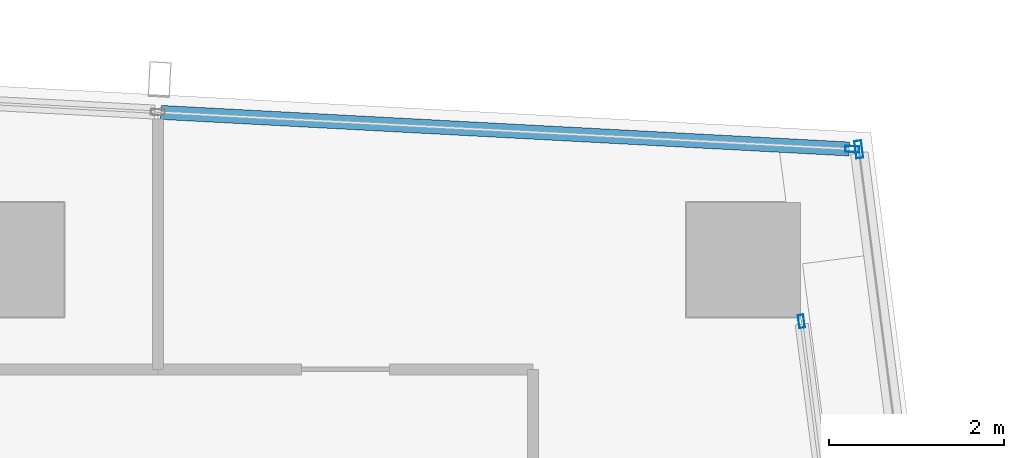
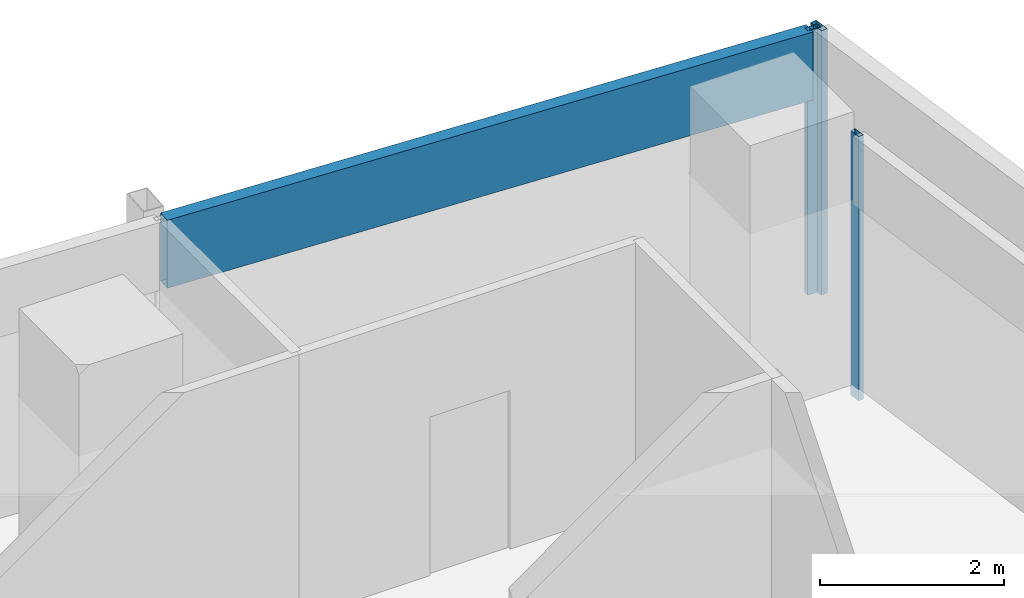
# One storey, part 20 of 29: 4 members, 3 elements without a shape of their own.
"""IFC4 building model written with IfcOpenShell, lengths in metres."""

import ifcopenshell
import ifcopenshell.guid

model = None  # the IFC model being written
_history = None  # IfcOwnerHistory: only IFC2X3 demands one
_inside = {}  # id of a spatial element -> (the spatial element, [elements in it])
_under = {}  # id of a project, library or spatial element -> (it, [spatial elements below it])
_declared = {}  # id of a project -> (the project, [libraries it declares])
_typed = {}  # id of a type object -> (the type object, [elements of that type])
_made_of = {}  # id of a material, layer set ... -> (it, [elements and type objects made of it])


def new_model(schema):
    """Start an empty IFC model of exactly this schema.

    Asked for "IFC4X3", IfcOpenShell would pick the latest addendum, in which some entities
    have other attributes; the version numbers below select the first issue.
    IFC2X3 requires an IfcOwnerHistory on every rooted entity: one is made here for all.
    """
    global model, _history
    if schema == "IFC4X3":
        model = ifcopenshell.file(schema_version=(4, 3, 0, 0))
    else:
        model = ifcopenshell.file(schema=schema)
    _inside.clear()
    _under.clear()
    _declared.clear()
    _typed.clear()
    _made_of.clear()
    _history = None
    if model.schema == "IFC2X3":
        org = make("IfcOrganization", Name="unknown")
        user = make(
            "IfcPersonAndOrganization",
            ThePerson=make("IfcPerson", FamilyName="unknown"),
            TheOrganization=org,
        )
        app = make(
            "IfcApplication",
            ApplicationDeveloper=org,
            Version="unknown",
            ApplicationFullName="unknown",
            ApplicationIdentifier="unknown",
        )
        _history = make(
            "IfcOwnerHistory",
            OwningUser=user,
            OwningApplication=app,
            ChangeAction="ADDED",
            CreationDate=0,
        )
    return model


def make(cls, **values):
    """One entity of the class cls with the attributes given. An attribute that is None is left unset."""
    return model.create_entity(
        cls, **{name: value for name, value in values.items() if value is not None}
    )


def rooted(cls, **values):
    """An entity with a GlobalId (a new one), such as an element, a storey or a relation."""
    return make(cls, GlobalId=ifcopenshell.guid.new(), OwnerHistory=_history, **values)


def si_unit(unit_type, name, prefix=None):
    """IfcSIUnit, for example si_unit("LENGTHUNIT", "METRE", prefix="MILLI")."""
    return make("IfcSIUnit", UnitType=unit_type, Prefix=prefix, Name=name)


def assignment(units):
    """IfcUnitAssignment: the units of a project."""
    return None if units is None else make("IfcUnitAssignment", Units=units)


def point(xyz):
    """IfcCartesianPoint."""
    return None if xyz is None else make("IfcCartesianPoint", Coordinates=xyz)


def direction(xyz):
    """IfcDirection."""
    return None if xyz is None else make("IfcDirection", DirectionRatios=xyz)


def frame(location, z_axis=None, x_axis=None):
    """IfcAxis2Placement3D, a coordinate frame: its origin and axes. An axis left out is left unset."""
    return make(
        "IfcAxis2Placement3D",
        Location=point(location),
        Axis=direction(z_axis),
        RefDirection=direction(x_axis),
    )


def frame_2d(location, x_axis=None):
    """IfcAxis2Placement2D, a coordinate frame in the plane: its origin and x axis."""
    return make(
        "IfcAxis2Placement2D", Location=point(location), RefDirection=direction(x_axis)
    )


def origin():
    """The frame at (0, 0, 0) with its axes left unset."""
    return frame((0.0, 0.0, 0.0))


def origin_2d():
    """The frame at (0, 0) in the plane with its x axis left unset."""
    return frame_2d((0.0, 0.0))


def place(relative_to, where):
    """IfcLocalPlacement: puts the frame where relative to a parent placement (None: the world)."""
    return make(
        "IfcLocalPlacement", PlacementRelTo=relative_to, RelativePlacement=where
    )


def context(
    kind, dimensions, precision=None, world=None, true_north=None, identifier=None
):
    """IfcGeometricRepresentationContext, for example the 3D "Model" context."""
    return make(
        "IfcGeometricRepresentationContext",
        ContextIdentifier=identifier,
        ContextType=kind,
        CoordinateSpaceDimension=dimensions,
        Precision=precision,
        WorldCoordinateSystem=world,
        TrueNorth=true_north,
    )


def subcontext(parent, identifier, kind, view, scale=None):
    """IfcGeometricRepresentationSubContext, for example "Body" below "Model"."""
    return make(
        "IfcGeometricRepresentationSubContext",
        ContextIdentifier=identifier,
        ContextType=kind,
        ParentContext=parent,
        TargetScale=scale,
        TargetView=view,
    )


def project(units=None, contexts=None):
    """IfcProject with its units and contexts."""
    return rooted(
        "IfcProject",
        Name="project",
        RepresentationContexts=contexts,
        UnitsInContext=assignment(units),
    )


def spatial(cls, under=None, at=None, **own):
    """A site, building, storey or space (cls), placed at a placement, below another one or the project."""
    s = rooted(cls, ObjectPlacement=at, **own)
    if under is not None:
        _under.setdefault(under.id(), (under, []))[1].append(s)
    return s


def profile(cls, at=None, kind="AREA", **sizes):
    """A parametric profile (cls). Its sizes go by their IFC names, for example OverallWidth=200.0."""
    return make(cls, ProfileType=kind, Position=at, **sizes)


def hollow_rectangle(**sizes):
    """IfcRectangleHollowProfileDef."""
    return profile("IfcRectangleHollowProfileDef", **sizes)


def extrude(swept, where, along, depth):
    """IfcExtrudedAreaSolid: the profile swept, set in the frame where, extruded along a direction by depth."""
    return make(
        "IfcExtrudedAreaSolid",
        SweptArea=swept,
        Position=where,
        ExtrudedDirection=direction(along),
        Depth=depth,
    )


def shape(context_of_items, identifier, shape_type, items):
    """IfcShapeRepresentation: the items that make up one representation, for example the "Body"."""
    return make(
        "IfcShapeRepresentation",
        ContextOfItems=context_of_items,
        RepresentationIdentifier=identifier,
        RepresentationType=shape_type,
        Items=items,
    )


def material(Name=None, Category=None):
    """IfcMaterial."""
    return make("IfcMaterial", Name=Name, Category=Category)


def material_profile(
    of_material, cross_section, Name=None, Category=None, Priority=None
):
    """IfcMaterialProfile: a cross section and its material."""
    return make(
        "IfcMaterialProfile",
        Name=Name,
        Material=of_material,
        Profile=cross_section,
        Priority=Priority,
        Category=Category,
    )


def profile_set(profiles, Name=None, composite=None):
    """IfcMaterialProfileSet."""
    return make(
        "IfcMaterialProfileSet",
        Name=Name,
        MaterialProfiles=profiles,
        CompositeProfile=composite,
    )


def made_of(thing, what):
    """Note that an element or type object is made of a material, layer set ...; save() writes the relation."""
    if what is not None:
        _made_of.setdefault(what.id(), (what, []))[1].append(thing)
    return thing


def type_object(cls, material=None, **own):
    """A type object (cls), such as IfcWallType, which elements share."""
    return made_of(rooted(cls, **own), material)


def element(
    cls,
    number,
    at=None,
    inside=None,
    cuts=None,
    type_object=None,
    material=None,
    context=None,
    identifier="Body",
    shape_type=None,
    held_by="IfcProductDefinitionShape",
    body=None,
    shapes=None,
    **own,
):
    """One element of the class cls, such as IfcWall. Its Tag is "e" and its number.

    at: its placement. inside: the storey or other place that contains it. cuts: it is an
    opening in that element (IfcRelVoidsElement). A single representation is given by context,
    identifier, shape_type and body (its items); several are given by shapes. held_by: the class
    of the entity that holds the representations. save() writes the other relations.
    """
    e = rooted(cls, Tag="e%d" % number, ObjectPlacement=at, **own)
    if body is not None:
        shapes = [shape(context, identifier, shape_type, body)]
    if shapes is not None:
        e.Representation = make(held_by, Representations=shapes)
    if inside is not None:
        _inside.setdefault(inside.id(), (inside, []))[1].append(e)
    if cuts is not None:
        rooted(
            "IfcRelVoidsElement", RelatingBuildingElement=cuts, RelatedOpeningElement=e
        )
    if type_object is not None:
        _typed.setdefault(type_object.id(), (type_object, []))[1].append(e)
    return made_of(e, material)


def aggregate(whole, parts):
    """IfcRelAggregates: a whole, such as a stair, and the parts it consists of."""
    return rooted("IfcRelAggregates", RelatingObject=whole, RelatedObjects=parts)


def save(model, path):
    """Write the relations noted so far, then the file.

    IfcRelAggregates (storeys below a building ...), IfcRelContainedInSpatialStructure (elements
    in a storey), IfcRelDefinesByType, IfcRelAssociatesMaterial and IfcRelDeclares: one each for
    every whole, place, type object, material and project.
    """
    for whole, parts in _under.values():
        aggregate(whole, parts)
    for where, things in _inside.values():
        rooted(
            "IfcRelContainedInSpatialStructure",
            RelatedElements=things,
            RelatingStructure=where,
        )
    for kind, things in _typed.values():
        rooted("IfcRelDefinesByType", RelatedObjects=things, RelatingType=kind)
    for what, things in _made_of.values():
        rooted("IfcRelAssociatesMaterial", RelatedObjects=things, RelatingMaterial=what)
    for by, libraries in _declared.values():
        rooted("IfcRelDeclares", RelatingContext=by, RelatedDefinitions=libraries)
    model.write(path)


model = new_model("IFC4")

# Units and contexts
model_context = context("Model", 3, precision=1e-05, world=origin(), true_north=direction((0.0, 1.0)))
body_context = subcontext(model_context, "Body", "Model", "MODEL_VIEW")
ifc_project = project(units=[si_unit("LENGTHUNIT", "METRE"), si_unit("AREAUNIT", "SQUARE_METRE"), si_unit("VOLUMEUNIT", "CUBIC_METRE"), si_unit("PLANEANGLEUNIT", "RADIAN"), si_unit("MASSUNIT", "GRAM", prefix="KILO")], contexts=[model_context])

# Site, building, storey
site_placement = place(None, origin())
site = spatial("IfcSite", under=ifc_project, at=site_placement, CompositionType="ELEMENT")
building_placement = place(site_placement, origin())
building = spatial("IfcBuilding", under=site, at=building_placement, Name="Rekha Terrace Tower", CompositionType="ELEMENT")
storey_placement = place(building_placement, frame((0.0, 0.0, 280.10009765625)))
storey = spatial("IfcBuildingStorey", under=building, at=storey_placement, Name="L71", CompositionType="ELEMENT", Elevation=280.10009765625)

# Curtain wall, member
ifc_material_1 = material(Name="Aluminium framing", Category="aluminium")
curtain_wall_type_1 = type_object("IfcCurtainWallType", Name="CW1 double skin inner glazing", PredefinedType="USERDEFINED", material=ifc_material_1)
curtain_wall_1_placement = place(storey_placement, origin())
curtain_wall_1 = element("IfcCurtainWall", 1, at=curtain_wall_1_placement, inside=storey, type_object=curtain_wall_type_1, Name="CW1 double skin inner glazing", ObjectType="DOUBLE SKIN INNER GLAZING", PredefinedType="USERDEFINED")
ifc_material_2 = material(Name="Aluminium mullion section", Category="aluminium")
ifc_material_profile_1 = material_profile(ifc_material_2, hollow_rectangle(XDim=0.06494140625, YDim=0.14990234375, WallThickness=0.00390625, at=origin_2d()), Name="AL RHS 65x150")
ifc_profile_set_1 = profile_set([ifc_material_profile_1], Name="Aluminium mullion section")
member_type_1 = type_object("IfcMemberType", Name="CW1 mullion RHS 65 x 150", PredefinedType="MULLION", material=ifc_profile_set_1)
member_1_placement = place(storey_placement, frame((59.458740234375, 49.6982421875, 0.0), z_axis=(0.0, 0.0, 1.0), x_axis=(-0.991790949472, -0.127869904766, 0.0)))
member_1 = element("IfcMember", 2, at=member_1_placement, type_object=member_type_1, Name="CW1 mullion 2", PredefinedType="MULLION", context=body_context, shape_type="SweptSolid", body=[
    extrude(hollow_rectangle(XDim=0.06494140625, YDim=0.14990234375, WallThickness=0.00390625, at=origin_2d()), origin(), (0.0, 0.0, 1.0), 3.5),
])
aggregate(curtain_wall_1, [member_1])

curtain_wall_type_2 = type_object("IfcCurtainWallType", Name="CW2 double skin outer glazing", PredefinedType="USERDEFINED", material=ifc_material_1)
curtain_wall_2_placement = place(storey_placement, origin())
curtain_wall_2 = element("IfcCurtainWall", 3, at=curtain_wall_2_placement, inside=storey, type_object=curtain_wall_type_2, Name="CW2 double skin outer glazing", ObjectType="DOUBLE SKIN OUTER GLAZING", PredefinedType="USERDEFINED")
ifc_material_profile_2 = material_profile(ifc_material_2, hollow_rectangle(XDim=0.080078125, YDim=0.199951171875, WallThickness=0.00390625, at=origin_2d()), Name="AL RHS 80x200")
ifc_profile_set_2 = profile_set([ifc_material_profile_2], Name="Aluminium mullion section")
member_type_2 = type_object("IfcMemberType", Name="CW2 mullion RHS 80 x 200", PredefinedType="MULLION", material=ifc_profile_set_2)
member_2_placement = place(storey_placement, frame((60.113525390625, 51.65771484375, 0.0), z_axis=(0.0, 0.0, 1.0), x_axis=(-0.991790949459, -0.12786990487, 0.0)))
member_2 = element("IfcMember", 4, at=member_2_placement, type_object=member_type_2, Name="CW2 mullion 2", PredefinedType="MULLION", context=body_context, shape_type="SweptSolid", body=[
    extrude(hollow_rectangle(XDim=0.080078125, YDim=0.199951171875, WallThickness=0.00390625, at=origin_2d()), origin(), (0.0, 0.0, 1.0), 3.5),
])
aggregate(curtain_wall_2, [member_2])

# Curtain wall, members
curtain_wall_type_3 = type_object("IfcCurtainWallType", Name="CW3 north unitised glazing", PredefinedType="USERDEFINED", material=ifc_material_1)
curtain_wall_3_placement = place(storey_placement, origin())
curtain_wall_3 = element("IfcCurtainWall", 5, at=curtain_wall_3_placement, inside=storey, type_object=curtain_wall_type_3, Name="CW3 unitised curtain wall", ObjectType="UNITISED CURTAIN WALL", PredefinedType="USERDEFINED")
ifc_material_profile_3 = material_profile(ifc_material_2, hollow_rectangle(XDim=0.070068359375, YDim=0.159912109375, WallThickness=0.00390625, at=origin_2d()), Name="AL RHS 70x160")
ifc_profile_set_3 = profile_set([ifc_material_profile_3], Name="Aluminium mullion section")
member_type_3 = type_object("IfcMemberType", Name="CW3 mullion RHS 70 x 160", PredefinedType="MULLION", material=ifc_profile_set_3)
member_3_placement = place(storey_placement, frame((60.0380859375, 51.660888671875, 0.0), z_axis=(0.0, 0.0, 1.0), x_axis=(-0.053083275524, -0.998590089005, 0.0)))
member_3 = element("IfcMember", 6, at=member_3_placement, type_object=member_type_3, Name="CW3 mullion 1", PredefinedType="MULLION", context=body_context, shape_type="SweptSolid", body=[
    extrude(hollow_rectangle(XDim=0.070068359375, YDim=0.159912109375, WallThickness=0.00390625, at=origin_2d()), origin(), (0.0, 0.0, 1.0), 3.5),
])
ifc_material_3 = material(Name="Insulated aluminium spandrel box", Category="aluminium")
ifc_material_profile_4 = material_profile(ifc_material_3, hollow_rectangle(XDim=0.159912109375, YDim=0.89990234375, WallThickness=0.0029296875, at=origin_2d()), Name="AL SPANDREL BOX 160x900")
ifc_profile_set_4 = profile_set([ifc_material_profile_4], Name="Insulated aluminium spandrel box")
member_type_4 = type_object("IfcMemberType", Name="CW3 spandrel transom 160 x 900", PredefinedType="USERDEFINED", material=ifc_profile_set_4)
member_4_placement = place(storey_placement, frame((60.003173828125, 51.662841796875, 3.0498046875), z_axis=(-0.99859048353, 0.053075853302, 0.0), x_axis=(-0.053075853302, -0.99859048353, 0.0)))
member_4 = element("IfcMember", 7, at=member_4_placement, type_object=member_type_4, Name="CW3 spandrel transom 1", ObjectType="TRANSOM", PredefinedType="USERDEFINED", context=body_context, shape_type="SweptSolid", body=[
    extrude(hollow_rectangle(XDim=0.159912109375, YDim=0.89990234375, WallThickness=0.0029296875, at=origin_2d()), origin(), (0.0, 0.0, 1.0), 7.8564453125),
])
aggregate(curtain_wall_3, [member_3, member_4])

save(model, "model.ifc")
